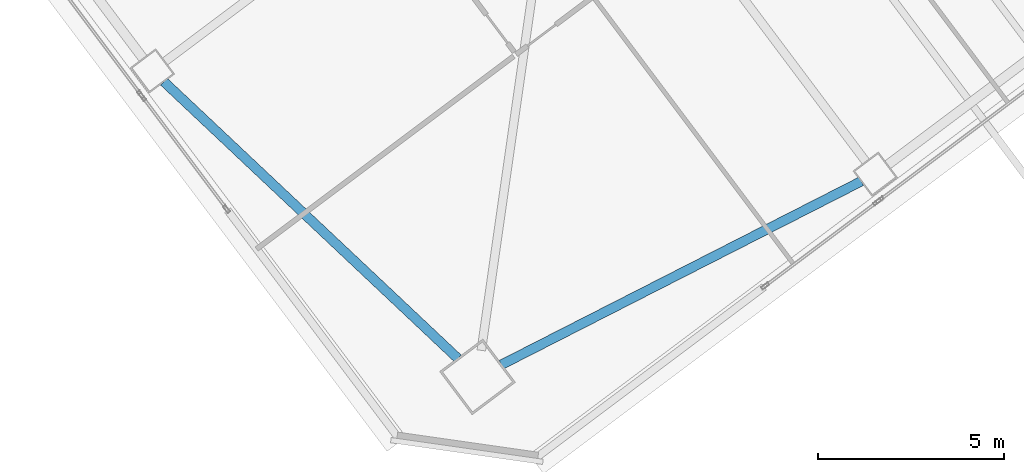
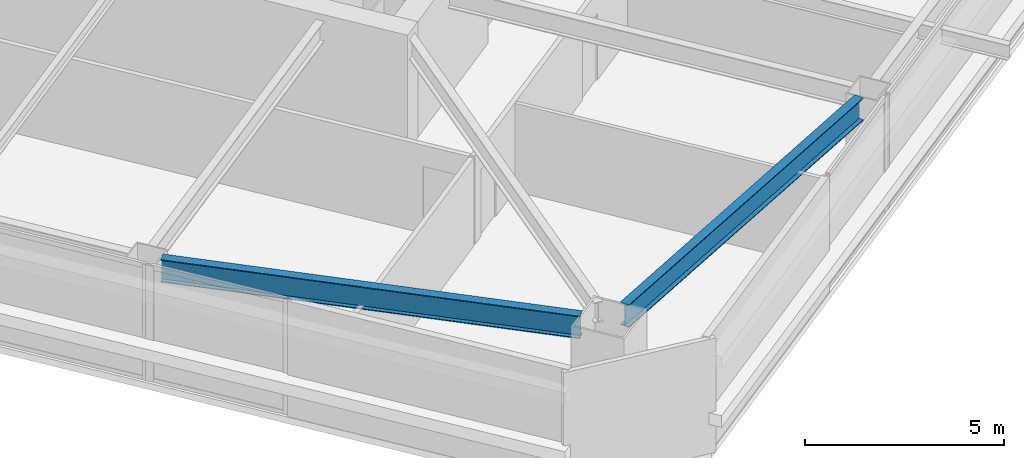
# One storey, part 19 of 44: 2 beams.
"""IFC4 building model written with IfcOpenShell, lengths in metres."""

from ifc_helpers import new_model, si_unit, direction, frame, origin, origin_2d, place, context, subcontext, project, spatial, i_section, extrude, material, material_profile, profile_set, type_object, element, save


model = new_model("IFC4")

# Units and contexts
model_context = context("Model", 3, precision=1e-05, world=origin(), true_north=direction((0.0, 1.0)))
body_context = subcontext(model_context, "Body", "Model", "MODEL_VIEW")
ifc_project = project(units=[si_unit("LENGTHUNIT", "METRE"), si_unit("AREAUNIT", "SQUARE_METRE"), si_unit("VOLUMEUNIT", "CUBIC_METRE"), si_unit("PLANEANGLEUNIT", "RADIAN"), si_unit("MASSUNIT", "GRAM", prefix="KILO")], contexts=[model_context])

# Site, building, storey
site_placement = place(None, origin())
site = spatial("IfcSite", under=ifc_project, at=site_placement, CompositionType="ELEMENT")
building_placement = place(site_placement, origin())
building = spatial("IfcBuilding", under=site, at=building_placement, Name="Tashvorn Skyway Center", CompositionType="ELEMENT")
storey_placement = place(building_placement, frame((0.0, 0.0, 74.300048828125)))
storey = spatial("IfcBuildingStorey", under=building, at=storey_placement, Name="L19", CompositionType="ELEMENT", Elevation=74.300048828125)

# Beams
ifc_material = material(Name="Steel ASTM A992 Grade 50", Category="steel")
ifc_material_profile = material_profile(ifc_material, i_section(OverallWidth=0.256103515625, OverallDepth=0.693115234375, WebThickness=0.014404296875, FlangeThickness=0.023681640625, at=origin_2d()), Name="W27X114")
ifc_profile_set = profile_set([ifc_material_profile], Name="Steel ASTM A992 Grade 50")
beam_type = type_object("IfcBeamType", Name="BM-SPANDREL-W27X114", PredefinedType="SPANDREL", material=ifc_profile_set)
beam_1_placement = place(storey_placement, frame((111.201416015625, 8.2470703125, 3.00341796875), z_axis=(0.890894170442, 0.454210938961, 0.0), x_axis=(-0.454210938961, 0.890894170442, 0.0)))
element("IfcBeam", 1, at=beam_1_placement, inside=storey, type_object=beam_type, Name="Tower 2 L19 Spandrel Beam 01", PredefinedType="SPANDREL", context=body_context, shape_type="SweptSolid", body=[
    extrude(i_section(OverallWidth=0.256103515625, OverallDepth=0.693115234375, WebThickness=0.014404296875, FlangeThickness=0.023681640625, at=origin_2d()), origin(), (0.0, 0.0, 1.0), 10.836669921875),
])
beam_2_placement = place(storey_placement, frame((102.145751953125, 15.842041015625, 3.00341796875), z_axis=(0.728086883893, -0.685484857238, 0.0), x_axis=(0.685484857238, 0.728086883893, 0.0)))
element("IfcBeam", 2, at=beam_2_placement, inside=storey, type_object=beam_type, Name="Tower 2 L19 Spandrel Beam 12", PredefinedType="SPANDREL", context=body_context, shape_type="SweptSolid", body=[
    extrude(i_section(OverallWidth=0.256103515625, OverallDepth=0.693115234375, WebThickness=0.014404296875, FlangeThickness=0.023681640625, at=origin_2d()), origin(), (0.0, 0.0, 1.0), 10.8369140625),
])

save(model, "model.ifc")
